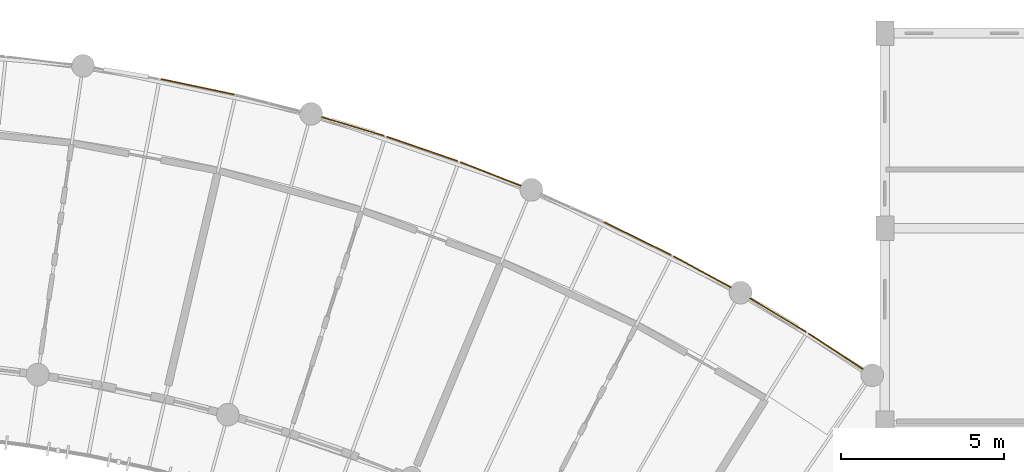
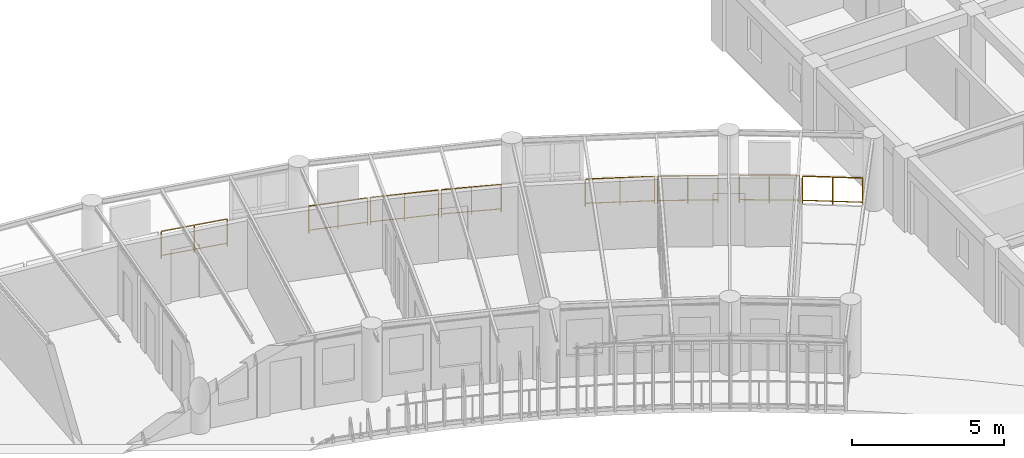
# One storey, part 100 of 100: 8 railings.
"""IFC4 building model written with IfcOpenShell, lengths in metres."""

from ifc_helpers import new_model, si_unit, direction, frame, origin, origin_2d, place, context, subcontext, project, spatial, circle, extrude, material, layer, layer_set, type_object, element, save


model = new_model("IFC4")

# Units and contexts
model_context = context("Model", 3, precision=1e-05, world=origin(), true_north=direction((0.0, 1.0)))
body_context = subcontext(model_context, "Body", "Model", "MODEL_VIEW")
ifc_project = project(units=[si_unit("LENGTHUNIT", "METRE"), si_unit("AREAUNIT", "SQUARE_METRE"), si_unit("VOLUMEUNIT", "CUBIC_METRE"), si_unit("PLANEANGLEUNIT", "RADIAN"), si_unit("MASSUNIT", "GRAM", prefix="KILO"), si_unit("POWERUNIT", "WATT"), si_unit("THERMODYNAMICTEMPERATUREUNIT", "KELVIN")], contexts=[model_context])

# Site, building, storey
site_placement = place(None, origin())
site = spatial("IfcSite", under=ifc_project, at=site_placement, CompositionType="ELEMENT")
building_placement = place(site_placement, origin())
building = spatial("IfcBuilding", under=site, at=building_placement, Name="Ruvembo Vaulted Housing Court", CompositionType="ELEMENT")
storey_placement = place(building_placement, frame((0.0, 0.0, 10.89990234375)))
storey = spatial("IfcBuildingStorey", under=building, at=storey_placement, Name="L03", CompositionType="ELEMENT", Elevation=10.89990234375)

# Railings
ifc_material = material(Name="Galvanised Painted Steel and Laminated Glass", Category="steel")
ifc_layer = layer(ifc_material, 0.070068359375, Name="Galvanised Painted Steel and Laminated Glass")
ifc_layer_set = layer_set([ifc_layer], Name="Galvanised Painted Steel and Laminated Glass")
railing_type = type_object("IfcRailingType", Name="RL-BALUST-1120", PredefinedType="BALUSTRADE", material=ifc_layer_set)
railing_1_placement = place(storey_placement, frame((127.74609375, 106.587646484375, 0.0)))
element("IfcRailing", 1, at=railing_1_placement, inside=storey, type_object=railing_type, Name="L03 Perimeter Guard RL-EXT-L03-0708", PredefinedType="BALUSTRADE", context=body_context, shape_type="SweptSolid", body=[
    extrude(circle(Radius=0.02392578125, at=origin_2d()), frame((0.0, 0.0, 1.09619140625), z_axis=(0.978529427243, -0.206107156642, 0.0), x_axis=(0.206107156642, 0.978529427243, 0.0)), (0.0, 0.0, 1.0), 2.290771484375),
    extrude(circle(Radius=0.01806640625, at=origin_2d()), frame((0.0, 0.0, 0.1201171875), z_axis=(0.978529427243, -0.206107156642, 0.0), x_axis=(0.206107156642, 0.978529427243, 0.0)), (0.0, 0.0, 1.0), 2.290771484375),
    extrude(circle(Radius=0.02099609375, at=origin_2d()), origin(), (0.0, 0.0, 1.0), 1.072021484375),
    extrude(circle(Radius=0.02099609375, at=origin_2d()), frame((1.120849609375, -0.236083984375, 0.0)), (0.0, 0.0, 1.0), 1.072021484375),
    extrude(circle(Radius=0.02099609375, at=origin_2d()), frame((2.24169921875, -0.47216796875, 0.0)), (0.0, 0.0, 1.0), 1.072021484375),
])
railing_2_placement = place(storey_placement, frame((132.68896484375, 105.415771484375, 0.0)))
element("IfcRailing", 2, at=railing_2_placement, inside=storey, type_object=railing_type, Name="L03 Perimeter Guard RL-EXT-L03-0709", PredefinedType="BALUSTRADE", context=body_context, shape_type="SweptSolid", body=[
    extrude(circle(Radius=0.02392578125, at=origin_2d()), frame((0.0, 0.0, 1.09619140625), z_axis=(0.958058843181, -0.286571549535, 0.0), x_axis=(0.286571549535, 0.958058843181, 0.0)), (0.0, 0.0, 1.0), 1.990966796875),
    extrude(circle(Radius=0.01806640625, at=origin_2d()), frame((0.0, 0.0, 0.1201171875), z_axis=(0.958058843181, -0.286571549535, 0.0), x_axis=(0.286571549535, 0.958058843181, 0.0)), (0.0, 0.0, 1.0), 1.990966796875),
    extrude(circle(Radius=0.02099609375, at=origin_2d()), origin(), (0.0, 0.0, 1.0), 1.072021484375),
    extrude(circle(Radius=0.02099609375, at=origin_2d()), frame((0.95361328125, -0.28515625, 0.0)), (0.0, 0.0, 1.0), 1.072021484375),
    extrude(circle(Radius=0.02099609375, at=origin_2d()), frame((1.907470703125, -0.570556640625, 0.0)), (0.0, 0.0, 1.0), 1.072021484375),
])
railing_3_placement = place(storey_placement, frame((134.691650390625, 104.814697265625, 0.0)))
element("IfcRailing", 3, at=railing_3_placement, inside=storey, type_object=railing_type, Name="L03 Perimeter Guard RL-EXT-L03-0710", PredefinedType="BALUSTRADE", context=body_context, shape_type="SweptSolid", body=[
    extrude(circle(Radius=0.02392578125, at=origin_2d()), frame((0.0, 0.0, 1.09619140625), z_axis=(0.945360522116, -0.326026813659, 0.0), x_axis=(0.326026813659, 0.945360522116, 0.0)), (0.0, 0.0, 1.0), 2.290771484375),
    extrude(circle(Radius=0.01806640625, at=origin_2d()), frame((0.0, 0.0, 0.1201171875), z_axis=(0.945360522116, -0.326026813659, 0.0), x_axis=(0.326026813659, 0.945360522116, 0.0)), (0.0, 0.0, 1.0), 2.290771484375),
    extrude(circle(Radius=0.02099609375, at=origin_2d()), origin(), (0.0, 0.0, 1.0), 1.072021484375),
    extrude(circle(Radius=0.02099609375, at=origin_2d()), frame((1.082763671875, -0.37353515625, 0.0)), (0.0, 0.0, 1.0), 1.072021484375),
    extrude(circle(Radius=0.02099609375, at=origin_2d()), frame((2.16552734375, -0.746826171875, 0.0)), (0.0, 0.0, 1.0), 1.072021484375),
])
railing_4_placement = place(storey_placement, frame((136.951171875, 104.033447265625, 0.0)))
element("IfcRailing", 4, at=railing_4_placement, inside=storey, type_object=railing_type, Name="L03 Perimeter Guard RL-EXT-L03-0711", PredefinedType="BALUSTRADE", context=body_context, shape_type="SweptSolid", body=[
    extrude(circle(Radius=0.02392578125, at=origin_2d()), frame((0.0, 0.0, 1.09619140625), z_axis=(0.930967477035, -0.365102118184, 0.0), x_axis=(0.365102118184, 0.930967477035, 0.0)), (0.0, 0.0, 1.0), 1.99072265625),
    extrude(circle(Radius=0.01806640625, at=origin_2d()), frame((0.0, 0.0, 0.1201171875), z_axis=(0.930967477035, -0.365102118184, 0.0), x_axis=(0.365102118184, 0.930967477035, 0.0)), (0.0, 0.0, 1.0), 1.99072265625),
    extrude(circle(Radius=0.02099609375, at=origin_2d()), origin(), (0.0, 0.0, 1.0), 1.072021484375),
    extrude(circle(Radius=0.02099609375, at=origin_2d()), frame((0.9267578125, -0.36328125, 0.0)), (0.0, 0.0, 1.0), 1.072021484375),
    extrude(circle(Radius=0.02099609375, at=origin_2d()), frame((1.853271484375, -0.726806640625, 0.0)), (0.0, 0.0, 1.0), 1.072021484375),
])
railing_5_placement = place(storey_placement, frame((141.363037109375, 102.19287109375, 0.0)))
element("IfcRailing", 5, at=railing_5_placement, inside=storey, type_object=railing_type, Name="L03 Perimeter Guard RL-EXT-L03-0712", PredefinedType="BALUSTRADE", context=body_context, shape_type="SweptSolid", body=[
    extrude(circle(Radius=0.02392578125, at=origin_2d()), frame((0.0, 0.0, 1.09619140625), z_axis=(0.897517329608, -0.440979186644, 0.0), x_axis=(0.440979186644, 0.897517329608, 0.0)), (0.0, 0.0, 1.0), 2.291015625),
    extrude(circle(Radius=0.01806640625, at=origin_2d()), frame((0.0, 0.0, 0.1201171875), z_axis=(0.897517329608, -0.440979186644, 0.0), x_axis=(0.440979186644, 0.897517329608, 0.0)), (0.0, 0.0, 1.0), 2.291015625),
    extrude(circle(Radius=0.02099609375, at=origin_2d()), origin(), (0.0, 0.0, 1.0), 1.072021484375),
    extrude(circle(Radius=0.02099609375, at=origin_2d()), frame((1.028076171875, -0.505126953125, 0.0)), (0.0, 0.0, 1.0), 1.072021484375),
    extrude(circle(Radius=0.02099609375, at=origin_2d()), frame((2.05615234375, -1.01025390625, 0.0)), (0.0, 0.0, 1.0), 1.072021484375),
])
railing_6_placement = place(storey_placement, frame((143.508056640625, 101.13671875, 0.0)))
element("IfcRailing", 6, at=railing_6_placement, inside=storey, type_object=railing_type, Name="L03 Perimeter Guard RL-EXT-L03-0713", PredefinedType="BALUSTRADE", context=body_context, shape_type="SweptSolid", body=[
    extrude(circle(Radius=0.02392578125, at=origin_2d()), frame((0.0, 0.0, 1.09619140625), z_axis=(0.878466743938, -0.477803494958, 0.0), x_axis=(0.477803494958, 0.878466743938, 0.0)), (0.0, 0.0, 1.0), 1.99072265625),
    extrude(circle(Radius=0.01806640625, at=origin_2d()), frame((0.0, 0.0, 0.1201171875), z_axis=(0.878466743938, -0.477803494958, 0.0), x_axis=(0.477803494958, 0.878466743938, 0.0)), (0.0, 0.0, 1.0), 1.99072265625),
    extrude(circle(Radius=0.02099609375, at=origin_2d()), origin(), (0.0, 0.0, 1.0), 1.072021484375),
    extrude(circle(Radius=0.02099609375, at=origin_2d()), frame((0.87451171875, -0.4755859375, 0.0)), (0.0, 0.0, 1.0), 1.072021484375),
    extrude(circle(Radius=0.02099609375, at=origin_2d()), frame((1.748779296875, -0.951171875, 0.0)), (0.0, 0.0, 1.0), 1.072021484375),
])
railing_7_placement = place(storey_placement, frame((145.86474609375, 99.838623046875, 0.0)))
element("IfcRailing", 7, at=railing_7_placement, inside=storey, type_object=railing_type, Name="L03 Perimeter Guard RL-EXT-L03-0714", PredefinedType="BALUSTRADE", context=body_context, shape_type="SweptSolid", body=[
    extrude(circle(Radius=0.02392578125, at=origin_2d()), frame((0.0, 0.0, 1.09619140625), z_axis=(0.857871436595, -0.513864377317, 0.0), x_axis=(0.513864377317, 0.857871436595, 0.0)), (0.0, 0.0, 1.0), 1.99072265625),
    extrude(circle(Radius=0.01806640625, at=origin_2d()), frame((0.0, 0.0, 0.1201171875), z_axis=(0.857871436595, -0.513864377317, 0.0), x_axis=(0.513864377317, 0.857871436595, 0.0)), (0.0, 0.0, 1.0), 1.99072265625),
    extrude(circle(Radius=0.02099609375, at=origin_2d()), origin(), (0.0, 0.0, 1.0), 1.072021484375),
    extrude(circle(Radius=0.02099609375, at=origin_2d()), frame((0.85400390625, -0.511474609375, 0.0)), (0.0, 0.0, 1.0), 1.072021484375),
    extrude(circle(Radius=0.02099609375, at=origin_2d()), frame((1.707763671875, -1.02294921875, 0.0)), (0.0, 0.0, 1.0), 1.072021484375),
])
railing_8_placement = place(storey_placement, frame((147.6572265625, 98.762451171875, 0.0)))
element("IfcRailing", 8, at=railing_8_placement, inside=storey, type_object=railing_type, Name="L03 Perimeter Guard RL-EXT-L03-0715", PredefinedType="BALUSTRADE", context=body_context, shape_type="SweptSolid", body=[
    extrude(circle(Radius=0.02392578125, at=origin_2d()), frame((0.0, 0.0, 1.09619140625), z_axis=(0.835822843762, -0.548999247582, 0.0), x_axis=(0.548999247582, 0.835822843762, 0.0)), (0.0, 0.0, 1.0), 1.990966796875),
    extrude(circle(Radius=0.01806640625, at=origin_2d()), frame((0.0, 0.0, 0.1201171875), z_axis=(0.835822843762, -0.548999247582, 0.0), x_axis=(0.548999247582, 0.835822843762, 0.0)), (0.0, 0.0, 1.0), 1.990966796875),
    extrude(circle(Radius=0.02099609375, at=origin_2d()), origin(), (0.0, 0.0, 1.0), 1.072021484375),
    extrude(circle(Radius=0.02099609375, at=origin_2d()), frame((0.83203125, -0.54638671875, 0.0)), (0.0, 0.0, 1.0), 1.072021484375),
    extrude(circle(Radius=0.02099609375, at=origin_2d()), frame((1.6640625, -1.093017578125, 0.0)), (0.0, 0.0, 1.0), 1.072021484375),
])

save(model, "model.ifc")
